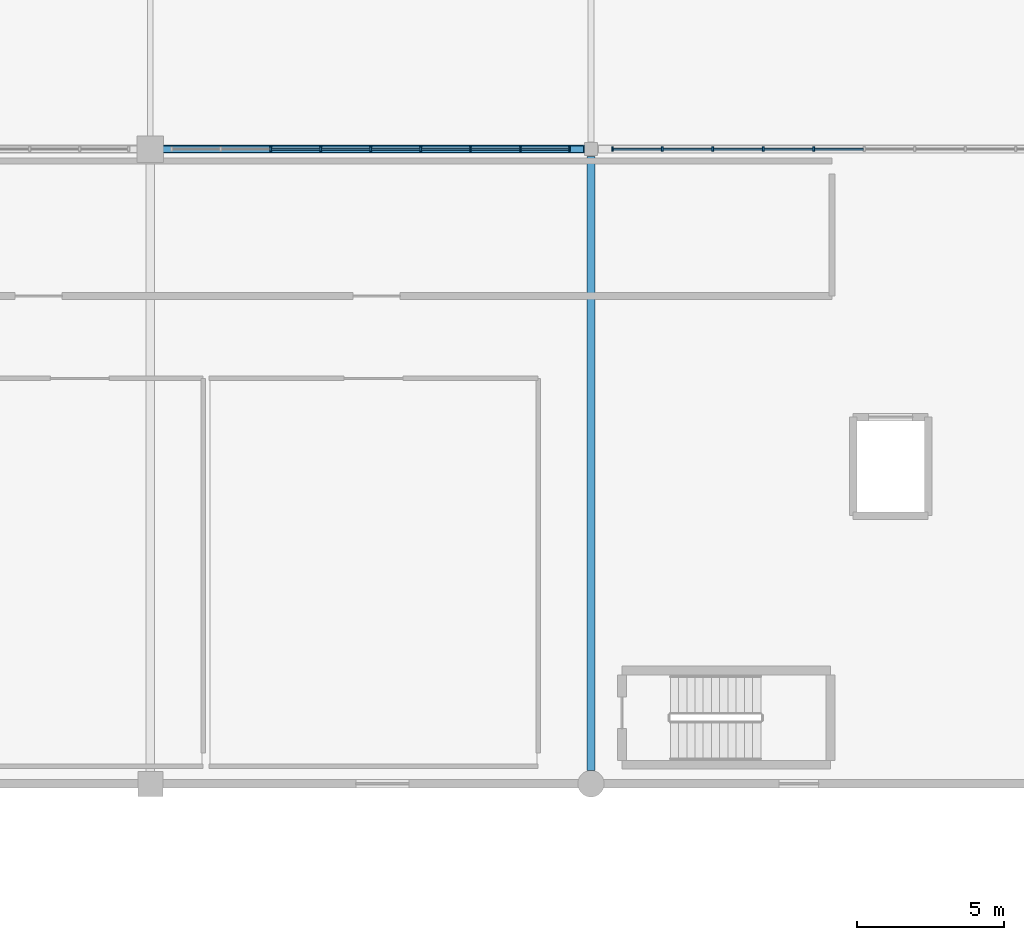
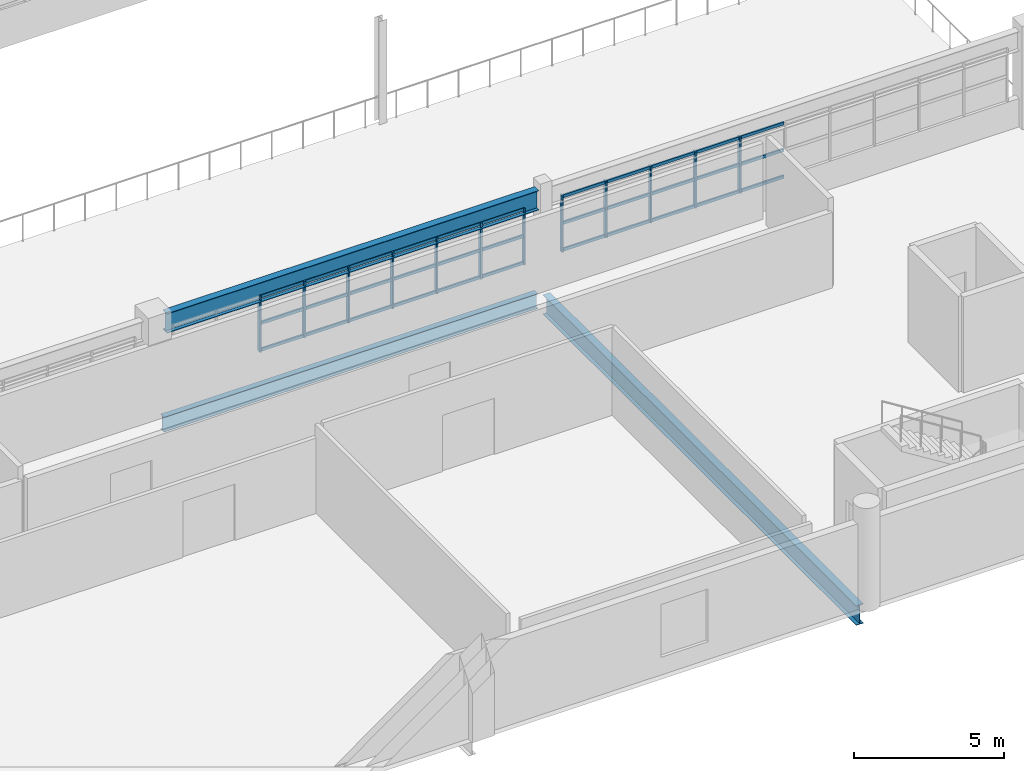
# One storey, part 18 of 92: 45 members, 3 beams, 2 elements without a shape of their own.
"""IFC4 building model written with IfcOpenShell, lengths in metres."""

from ifc_helpers import new_model, si_unit, direction, frame, origin, origin_2d, place, context, subcontext, project, spatial, rectangle, i_section, extrude, material, material_profile, profile_set, type_object, element, aggregate, save


model = new_model("IFC4")

# Units and contexts
model_context = context("Model", 3, precision=1e-05, world=origin(), true_north=direction((0.0, 1.0)))
body_context = subcontext(model_context, "Body", "Model", "MODEL_VIEW")
ifc_project = project(units=[si_unit("LENGTHUNIT", "METRE"), si_unit("AREAUNIT", "SQUARE_METRE"), si_unit("VOLUMEUNIT", "CUBIC_METRE"), si_unit("PLANEANGLEUNIT", "RADIAN"), si_unit("MASSUNIT", "GRAM", prefix="KILO")], contexts=[model_context])

# Site, building, storey
site_placement = place(None, origin())
site = spatial("IfcSite", under=ifc_project, at=site_placement, CompositionType="ELEMENT")
building_placement = place(site_placement, origin())
building = spatial("IfcBuilding", under=site, at=building_placement, Name="Solanera Park Tramway Depot", CompositionType="ELEMENT")
storey_placement = place(building_placement, frame((0.0, 0.0, 4.800048828125)))
storey = spatial("IfcBuildingStorey", under=building, at=storey_placement, Name="L01", CompositionType="ELEMENT", Elevation=4.800048828125)

# Curtain wall, members
ifc_material_1 = material(Name="Bronze-anodised thermally broken aluminium curtain wall", Category="aluminium")
curtain_wall_type = type_object("IfcCurtainWallType", Name="Workshop Daylight Ribbon Curtain Wall", PredefinedType="NOTDEFINED", material=ifc_material_1)
curtain_wall_1_placement = place(storey_placement, origin())
curtain_wall_1 = element("IfcCurtainWall", 1, at=curtain_wall_1_placement, inside=storey, type_object=curtain_wall_type, Name="L01 Workshop Daylight Ribbon Curtain Wall #149", PredefinedType="NOTDEFINED")
ifc_material_2 = material(Name="Bronze-anodised structural aluminium 6063-T6", Category="aluminium")
ifc_material_profile_1 = material_profile(ifc_material_2, rectangle(XDim=0.06494140625, YDim=0.14990234375, at=origin_2d()), Name="Curtain Wall Mullion 65x150")
ifc_profile_set_1 = profile_set([ifc_material_profile_1], Name="Bronze-anodised structural aluminium 6063-T6")
member_type_1 = type_object("IfcMemberType", Name="Curtain Wall Mullion 65x150", PredefinedType="MULLION", material=ifc_profile_set_1)
member_1_placement = place(storey_placement, frame((64.10009765625, 32.39990234375, 1.0), z_axis=(0.0, 0.0, 1.0), x_axis=(1.0, 0.0, 0.0)))
member_1 = element("IfcMember", 2, at=member_1_placement, type_object=member_type_1, Name="CW-L01-149 Mullion 3", PredefinedType="MULLION", context=body_context, shape_type="SweptSolid", body=[
    extrude(rectangle(XDim=0.06494140625, YDim=0.14990234375, at=origin_2d()), origin(), (0.0, 0.0, 1.0), 2.300048828125),
])
member_2_placement = place(storey_placement, frame((65.800048828125, 32.39990234375, 1.0), z_axis=(0.0, 0.0, 1.0), x_axis=(1.0, 0.0, 0.0)))
member_2 = element("IfcMember", 3, at=member_2_placement, type_object=member_type_1, Name="CW-L01-149 Mullion 4", PredefinedType="MULLION", context=body_context, shape_type="SweptSolid", body=[
    extrude(rectangle(XDim=0.06494140625, YDim=0.14990234375, at=origin_2d()), origin(), (0.0, 0.0, 1.0), 2.300048828125),
])
member_3_placement = place(storey_placement, frame((67.5, 32.39990234375, 1.0), z_axis=(0.0, 0.0, 1.0), x_axis=(1.0, 0.0, 0.0)))
member_3 = element("IfcMember", 4, at=member_3_placement, type_object=member_type_1, Name="CW-L01-149 Mullion 5", PredefinedType="MULLION", context=body_context, shape_type="SweptSolid", body=[
    extrude(rectangle(XDim=0.06494140625, YDim=0.14990234375, at=origin_2d()), origin(), (0.0, 0.0, 1.0), 2.300048828125),
])
member_4_placement = place(storey_placement, frame((69.199951171875, 32.39990234375, 1.0), z_axis=(0.0, 0.0, 1.0), x_axis=(1.0, 0.0, 0.0)))
member_4 = element("IfcMember", 5, at=member_4_placement, type_object=member_type_1, Name="CW-L01-149 Mullion 6", PredefinedType="MULLION", context=body_context, shape_type="SweptSolid", body=[
    extrude(rectangle(XDim=0.06494140625, YDim=0.14990234375, at=origin_2d()), origin(), (0.0, 0.0, 1.0), 2.300048828125),
])
member_5_placement = place(storey_placement, frame((70.89990234375, 32.39990234375, 1.0), z_axis=(0.0, 0.0, 1.0), x_axis=(1.0, 0.0, 0.0)))
member_5 = element("IfcMember", 6, at=member_5_placement, type_object=member_type_1, Name="CW-L01-149 Mullion 7", PredefinedType="MULLION", context=body_context, shape_type="SweptSolid", body=[
    extrude(rectangle(XDim=0.06494140625, YDim=0.14990234375, at=origin_2d()), origin(), (0.0, 0.0, 1.0), 2.300048828125),
])
member_6_placement = place(storey_placement, frame((72.60009765625, 32.39990234375, 1.0), z_axis=(0.0, 0.0, 1.0), x_axis=(1.0, 0.0, 0.0)))
member_6 = element("IfcMember", 7, at=member_6_placement, type_object=member_type_1, Name="CW-L01-149 Mullion 8", PredefinedType="MULLION", context=body_context, shape_type="SweptSolid", body=[
    extrude(rectangle(XDim=0.06494140625, YDim=0.14990234375, at=origin_2d()), origin(), (0.0, 0.0, 1.0), 2.300048828125),
])
member_7_placement = place(storey_placement, frame((74.267578125, 32.39990234375, 1.0), z_axis=(0.0, 0.0, 1.0), x_axis=(1.0, 0.0, 0.0)))
member_7 = element("IfcMember", 8, at=member_7_placement, type_object=member_type_1, Name="CW-L01-149 Mullion 9", PredefinedType="MULLION", context=body_context, shape_type="SweptSolid", body=[
    extrude(rectangle(XDim=0.06494140625, YDim=0.14990234375, at=origin_2d()), origin(), (0.0, 0.0, 1.0), 2.300048828125),
])

curtain_wall_2_placement = place(storey_placement, origin())
curtain_wall_2 = element("IfcCurtainWall", 9, at=curtain_wall_2_placement, inside=storey, type_object=curtain_wall_type, Name="L01 Workshop Daylight Ribbon Curtain Wall #151", PredefinedType="NOTDEFINED")
member_8_placement = place(storey_placement, frame((75.732421875, 32.39990234375, 1.0), z_axis=(0.0, 0.0, 1.0), x_axis=(1.0, 0.0, 0.0)))
member_8 = element("IfcMember", 10, at=member_8_placement, type_object=member_type_1, Name="CW-L01-151 Mullion 1", PredefinedType="MULLION", context=body_context, shape_type="SweptSolid", body=[
    extrude(rectangle(XDim=0.06494140625, YDim=0.14990234375, at=origin_2d()), origin(), (0.0, 0.0, 1.0), 2.300048828125),
])
member_9_placement = place(storey_placement, frame((77.419921875, 32.39990234375, 1.0), z_axis=(0.0, 0.0, 1.0), x_axis=(1.0, 0.0, 0.0)))
member_9 = element("IfcMember", 11, at=member_9_placement, type_object=member_type_1, Name="CW-L01-151 Mullion 2", PredefinedType="MULLION", context=body_context, shape_type="SweptSolid", body=[
    extrude(rectangle(XDim=0.06494140625, YDim=0.14990234375, at=origin_2d()), origin(), (0.0, 0.0, 1.0), 2.300048828125),
])
member_10_placement = place(storey_placement, frame((79.139892578125, 32.39990234375, 1.0), z_axis=(0.0, 0.0, 1.0), x_axis=(1.0, 0.0, 0.0)))
member_10 = element("IfcMember", 12, at=member_10_placement, type_object=member_type_1, Name="CW-L01-151 Mullion 3", PredefinedType="MULLION", context=body_context, shape_type="SweptSolid", body=[
    extrude(rectangle(XDim=0.06494140625, YDim=0.14990234375, at=origin_2d()), origin(), (0.0, 0.0, 1.0), 2.300048828125),
])
member_11_placement = place(storey_placement, frame((80.860107421875, 32.39990234375, 1.0), z_axis=(0.0, 0.0, 1.0), x_axis=(1.0, 0.0, 0.0)))
member_11 = element("IfcMember", 13, at=member_11_placement, type_object=member_type_1, Name="CW-L01-151 Mullion 4", PredefinedType="MULLION", context=body_context, shape_type="SweptSolid", body=[
    extrude(rectangle(XDim=0.06494140625, YDim=0.14990234375, at=origin_2d()), origin(), (0.0, 0.0, 1.0), 2.300048828125),
])
member_12_placement = place(storey_placement, frame((82.580078125, 32.39990234375, 1.0), z_axis=(0.0, 0.0, 1.0), x_axis=(1.0, 0.0, 0.0)))
member_12 = element("IfcMember", 14, at=member_12_placement, type_object=member_type_1, Name="CW-L01-151 Mullion 5", PredefinedType="MULLION", context=body_context, shape_type="SweptSolid", body=[
    extrude(rectangle(XDim=0.06494140625, YDim=0.14990234375, at=origin_2d()), origin(), (0.0, 0.0, 1.0), 2.300048828125),
])

# Member
ifc_material_3 = material(Name="Bronze-anodised structural aluminium 6063-T6", Category="aluminium")
ifc_material_profile_2 = material_profile(ifc_material_3, rectangle(XDim=0.06494140625, YDim=0.1201171875, at=origin_2d()), Name="Curtain Wall Transom 65x120")
ifc_profile_set_2 = profile_set([ifc_material_profile_2], Name="Bronze-anodised structural aluminium 6063-T6")
member_type_2 = type_object("IfcMemberType", Name="Curtain Wall Transom 65x120", PredefinedType="USERDEFINED", material=ifc_profile_set_2)
member_13_placement = place(storey_placement, frame((64.1279296875, 32.39990234375, 1.06005859375), z_axis=(1.0, 0.0, 0.0), x_axis=(0.0, 1.0, 0.0)))
member_13 = element("IfcMember", 15, at=member_13_placement, type_object=member_type_2, Name="CW-L01-149 Transom R1.C3", ObjectType="TRANSOM", PredefinedType="USERDEFINED", context=body_context, shape_type="SweptSolid", body=[
    extrude(rectangle(XDim=0.06494140625, YDim=0.1201171875, at=origin_2d()), origin(), (0.0, 0.0, 1.0), 1.64404296875),
])

member_14_placement = place(storey_placement, frame((65.827880859375, 32.39990234375, 1.06005859375), z_axis=(1.0, 0.0, 0.0), x_axis=(0.0, 1.0, 0.0)))
member_14 = element("IfcMember", 16, at=member_14_placement, type_object=member_type_2, Name="CW-L01-149 Transom R1.C4", ObjectType="TRANSOM", PredefinedType="USERDEFINED", context=body_context, shape_type="SweptSolid", body=[
    extrude(rectangle(XDim=0.06494140625, YDim=0.1201171875, at=origin_2d()), origin(), (0.0, 0.0, 1.0), 1.64404296875),
])

member_15_placement = place(storey_placement, frame((67.528076171875, 32.39990234375, 1.06005859375), z_axis=(1.0, 0.0, 0.0), x_axis=(0.0, 1.0, 0.0)))
member_15 = element("IfcMember", 17, at=member_15_placement, type_object=member_type_2, Name="CW-L01-149 Transom R1.C5", ObjectType="TRANSOM", PredefinedType="USERDEFINED", context=body_context, shape_type="SweptSolid", body=[
    extrude(rectangle(XDim=0.06494140625, YDim=0.1201171875, at=origin_2d()), origin(), (0.0, 0.0, 1.0), 1.64404296875),
])

member_16_placement = place(storey_placement, frame((69.22802734375, 32.39990234375, 1.06005859375), z_axis=(1.0, 0.0, 0.0), x_axis=(0.0, 1.0, 0.0)))
member_16 = element("IfcMember", 18, at=member_16_placement, type_object=member_type_2, Name="CW-L01-149 Transom R1.C6", ObjectType="TRANSOM", PredefinedType="USERDEFINED", context=body_context, shape_type="SweptSolid", body=[
    extrude(rectangle(XDim=0.06494140625, YDim=0.1201171875, at=origin_2d()), origin(), (0.0, 0.0, 1.0), 1.64404296875),
])

member_17_placement = place(storey_placement, frame((70.927978515625, 32.39990234375, 1.06005859375), z_axis=(1.0, 0.0, 0.0), x_axis=(0.0, 1.0, 0.0)))
member_17 = element("IfcMember", 19, at=member_17_placement, type_object=member_type_2, Name="CW-L01-149 Transom R1.C7", ObjectType="TRANSOM", PredefinedType="USERDEFINED", context=body_context, shape_type="SweptSolid", body=[
    extrude(rectangle(XDim=0.06494140625, YDim=0.1201171875, at=origin_2d()), origin(), (0.0, 0.0, 1.0), 1.64404296875),
])

member_18_placement = place(storey_placement, frame((72.6279296875, 32.39990234375, 1.06005859375), z_axis=(1.0, 0.0, 0.0), x_axis=(0.0, 1.0, 0.0)))
member_18 = element("IfcMember", 20, at=member_18_placement, type_object=member_type_2, Name="CW-L01-149 Transom R1.C8", ObjectType="TRANSOM", PredefinedType="USERDEFINED", context=body_context, shape_type="SweptSolid", body=[
    extrude(rectangle(XDim=0.06494140625, YDim=0.1201171875, at=origin_2d()), origin(), (0.0, 0.0, 1.0), 1.611572265625),
])

member_19_placement = place(storey_placement, frame((64.1279296875, 32.39990234375, 2.14990234375), z_axis=(1.0, 0.0, 0.0), x_axis=(0.0, 1.0, 0.0)))
member_19 = element("IfcMember", 21, at=member_19_placement, type_object=member_type_2, Name="CW-L01-149 Transom R2.C3", ObjectType="TRANSOM", PredefinedType="USERDEFINED", context=body_context, shape_type="SweptSolid", body=[
    extrude(rectangle(XDim=0.06494140625, YDim=0.1201171875, at=origin_2d()), origin(), (0.0, 0.0, 1.0), 1.64404296875),
])

member_20_placement = place(storey_placement, frame((65.827880859375, 32.39990234375, 2.14990234375), z_axis=(1.0, 0.0, 0.0), x_axis=(0.0, 1.0, 0.0)))
member_20 = element("IfcMember", 22, at=member_20_placement, type_object=member_type_2, Name="CW-L01-149 Transom R2.C4", ObjectType="TRANSOM", PredefinedType="USERDEFINED", context=body_context, shape_type="SweptSolid", body=[
    extrude(rectangle(XDim=0.06494140625, YDim=0.1201171875, at=origin_2d()), origin(), (0.0, 0.0, 1.0), 1.64404296875),
])

member_21_placement = place(storey_placement, frame((67.528076171875, 32.39990234375, 2.14990234375), z_axis=(1.0, 0.0, 0.0), x_axis=(0.0, 1.0, 0.0)))
member_21 = element("IfcMember", 23, at=member_21_placement, type_object=member_type_2, Name="CW-L01-149 Transom R2.C5", ObjectType="TRANSOM", PredefinedType="USERDEFINED", context=body_context, shape_type="SweptSolid", body=[
    extrude(rectangle(XDim=0.06494140625, YDim=0.1201171875, at=origin_2d()), origin(), (0.0, 0.0, 1.0), 1.64404296875),
])

member_22_placement = place(storey_placement, frame((69.22802734375, 32.39990234375, 2.14990234375), z_axis=(1.0, 0.0, 0.0), x_axis=(0.0, 1.0, 0.0)))
member_22 = element("IfcMember", 24, at=member_22_placement, type_object=member_type_2, Name="CW-L01-149 Transom R2.C6", ObjectType="TRANSOM", PredefinedType="USERDEFINED", context=body_context, shape_type="SweptSolid", body=[
    extrude(rectangle(XDim=0.06494140625, YDim=0.1201171875, at=origin_2d()), origin(), (0.0, 0.0, 1.0), 1.64404296875),
])

member_23_placement = place(storey_placement, frame((70.927978515625, 32.39990234375, 2.14990234375), z_axis=(1.0, 0.0, 0.0), x_axis=(0.0, 1.0, 0.0)))
member_23 = element("IfcMember", 25, at=member_23_placement, type_object=member_type_2, Name="CW-L01-149 Transom R2.C7", ObjectType="TRANSOM", PredefinedType="USERDEFINED", context=body_context, shape_type="SweptSolid", body=[
    extrude(rectangle(XDim=0.06494140625, YDim=0.1201171875, at=origin_2d()), origin(), (0.0, 0.0, 1.0), 1.64404296875),
])

member_24_placement = place(storey_placement, frame((72.6279296875, 32.39990234375, 2.14990234375), z_axis=(1.0, 0.0, 0.0), x_axis=(0.0, 1.0, 0.0)))
member_24 = element("IfcMember", 26, at=member_24_placement, type_object=member_type_2, Name="CW-L01-149 Transom R2.C8", ObjectType="TRANSOM", PredefinedType="USERDEFINED", context=body_context, shape_type="SweptSolid", body=[
    extrude(rectangle(XDim=0.06494140625, YDim=0.1201171875, at=origin_2d()), origin(), (0.0, 0.0, 1.0), 1.611572265625),
])

member_25_placement = place(storey_placement, frame((64.1279296875, 32.39990234375, 3.239990234375), z_axis=(1.0, 0.0, 0.0), x_axis=(0.0, 1.0, 0.0)))
member_25 = element("IfcMember", 27, at=member_25_placement, type_object=member_type_2, Name="CW-L01-149 Transom R3.C3", ObjectType="TRANSOM", PredefinedType="USERDEFINED", context=body_context, shape_type="SweptSolid", body=[
    extrude(rectangle(XDim=0.06494140625, YDim=0.1201171875, at=origin_2d()), origin(), (0.0, 0.0, 1.0), 1.64404296875),
])

member_26_placement = place(storey_placement, frame((65.827880859375, 32.39990234375, 3.239990234375), z_axis=(1.0, 0.0, 0.0), x_axis=(0.0, 1.0, 0.0)))
member_26 = element("IfcMember", 28, at=member_26_placement, type_object=member_type_2, Name="CW-L01-149 Transom R3.C4", ObjectType="TRANSOM", PredefinedType="USERDEFINED", context=body_context, shape_type="SweptSolid", body=[
    extrude(rectangle(XDim=0.06494140625, YDim=0.1201171875, at=origin_2d()), origin(), (0.0, 0.0, 1.0), 1.64404296875),
])

member_27_placement = place(storey_placement, frame((67.528076171875, 32.39990234375, 3.239990234375), z_axis=(1.0, 0.0, 0.0), x_axis=(0.0, 1.0, 0.0)))
member_27 = element("IfcMember", 29, at=member_27_placement, type_object=member_type_2, Name="CW-L01-149 Transom R3.C5", ObjectType="TRANSOM", PredefinedType="USERDEFINED", context=body_context, shape_type="SweptSolid", body=[
    extrude(rectangle(XDim=0.06494140625, YDim=0.1201171875, at=origin_2d()), origin(), (0.0, 0.0, 1.0), 1.64404296875),
])

member_28_placement = place(storey_placement, frame((69.22802734375, 32.39990234375, 3.239990234375), z_axis=(1.0, 0.0, 0.0), x_axis=(0.0, 1.0, 0.0)))
member_28 = element("IfcMember", 30, at=member_28_placement, type_object=member_type_2, Name="CW-L01-149 Transom R3.C6", ObjectType="TRANSOM", PredefinedType="USERDEFINED", context=body_context, shape_type="SweptSolid", body=[
    extrude(rectangle(XDim=0.06494140625, YDim=0.1201171875, at=origin_2d()), origin(), (0.0, 0.0, 1.0), 1.64404296875),
])

member_29_placement = place(storey_placement, frame((70.927978515625, 32.39990234375, 3.239990234375), z_axis=(1.0, 0.0, 0.0), x_axis=(0.0, 1.0, 0.0)))
member_29 = element("IfcMember", 31, at=member_29_placement, type_object=member_type_2, Name="CW-L01-149 Transom R3.C7", ObjectType="TRANSOM", PredefinedType="USERDEFINED", context=body_context, shape_type="SweptSolid", body=[
    extrude(rectangle(XDim=0.06494140625, YDim=0.1201171875, at=origin_2d()), origin(), (0.0, 0.0, 1.0), 1.64404296875),
])

member_30_placement = place(storey_placement, frame((72.6279296875, 32.39990234375, 3.239990234375), z_axis=(1.0, 0.0, 0.0), x_axis=(0.0, 1.0, 0.0)))
member_30 = element("IfcMember", 32, at=member_30_placement, type_object=member_type_2, Name="CW-L01-149 Transom R3.C8", ObjectType="TRANSOM", PredefinedType="USERDEFINED", context=body_context, shape_type="SweptSolid", body=[
    extrude(rectangle(XDim=0.06494140625, YDim=0.1201171875, at=origin_2d()), origin(), (0.0, 0.0, 1.0), 1.611572265625),
])

aggregate(curtain_wall_1, [member_1, member_2, member_3, member_4, member_5, member_6, member_7, member_13, member_14, member_15, member_16, member_17, member_18, member_19, member_20, member_21, member_22, member_23, member_24, member_25, member_26, member_27, member_28, member_29, member_30])

member_31_placement = place(storey_placement, frame((75.760498046875, 32.39990234375, 1.06005859375), z_axis=(1.0, 0.0, 0.0), x_axis=(0.0, 1.0, 0.0)))
member_31 = element("IfcMember", 33, at=member_31_placement, type_object=member_type_2, Name="CW-L01-151 Transom R1.C1", ObjectType="TRANSOM", PredefinedType="USERDEFINED", context=body_context, shape_type="SweptSolid", body=[
    extrude(rectangle(XDim=0.06494140625, YDim=0.1201171875, at=origin_2d()), origin(), (0.0, 0.0, 1.0), 1.631591796875),
])

member_32_placement = place(storey_placement, frame((77.447998046875, 32.39990234375, 1.06005859375), z_axis=(1.0, 0.0, 0.0), x_axis=(0.0, 1.0, 0.0)))
member_32 = element("IfcMember", 34, at=member_32_placement, type_object=member_type_2, Name="CW-L01-151 Transom R1.C2", ObjectType="TRANSOM", PredefinedType="USERDEFINED", context=body_context, shape_type="SweptSolid", body=[
    extrude(rectangle(XDim=0.06494140625, YDim=0.1201171875, at=origin_2d()), origin(), (0.0, 0.0, 1.0), 1.6640625),
])

member_33_placement = place(storey_placement, frame((79.16796875, 32.39990234375, 1.06005859375), z_axis=(1.0, 0.0, 0.0), x_axis=(0.0, 1.0, 0.0)))
member_33 = element("IfcMember", 35, at=member_33_placement, type_object=member_type_2, Name="CW-L01-151 Transom R1.C3", ObjectType="TRANSOM", PredefinedType="USERDEFINED", context=body_context, shape_type="SweptSolid", body=[
    extrude(rectangle(XDim=0.06494140625, YDim=0.1201171875, at=origin_2d()), origin(), (0.0, 0.0, 1.0), 1.6640625),
])

member_34_placement = place(storey_placement, frame((80.887939453125, 32.39990234375, 1.06005859375), z_axis=(1.0, 0.0, 0.0), x_axis=(0.0, 1.0, 0.0)))
member_34 = element("IfcMember", 36, at=member_34_placement, type_object=member_type_2, Name="CW-L01-151 Transom R1.C4", ObjectType="TRANSOM", PredefinedType="USERDEFINED", context=body_context, shape_type="SweptSolid", body=[
    extrude(rectangle(XDim=0.06494140625, YDim=0.1201171875, at=origin_2d()), origin(), (0.0, 0.0, 1.0), 1.6640625),
])

member_35_placement = place(storey_placement, frame((82.60791015625, 32.39990234375, 1.06005859375), z_axis=(1.0, 0.0, 0.0), x_axis=(0.0, 1.0, 0.0)))
member_35 = element("IfcMember", 37, at=member_35_placement, type_object=member_type_2, Name="CW-L01-151 Transom R1.C5", ObjectType="TRANSOM", PredefinedType="USERDEFINED", context=body_context, shape_type="SweptSolid", body=[
    extrude(rectangle(XDim=0.06494140625, YDim=0.1201171875, at=origin_2d()), origin(), (0.0, 0.0, 1.0), 1.6640625),
])

member_36_placement = place(storey_placement, frame((75.760498046875, 32.39990234375, 2.14990234375), z_axis=(1.0, 0.0, 0.0), x_axis=(0.0, 1.0, 0.0)))
member_36 = element("IfcMember", 38, at=member_36_placement, type_object=member_type_2, Name="CW-L01-151 Transom R2.C1", ObjectType="TRANSOM", PredefinedType="USERDEFINED", context=body_context, shape_type="SweptSolid", body=[
    extrude(rectangle(XDim=0.06494140625, YDim=0.1201171875, at=origin_2d()), origin(), (0.0, 0.0, 1.0), 1.631591796875),
])

member_37_placement = place(storey_placement, frame((77.447998046875, 32.39990234375, 2.14990234375), z_axis=(1.0, 0.0, 0.0), x_axis=(0.0, 1.0, 0.0)))
member_37 = element("IfcMember", 39, at=member_37_placement, type_object=member_type_2, Name="CW-L01-151 Transom R2.C2", ObjectType="TRANSOM", PredefinedType="USERDEFINED", context=body_context, shape_type="SweptSolid", body=[
    extrude(rectangle(XDim=0.06494140625, YDim=0.1201171875, at=origin_2d()), origin(), (0.0, 0.0, 1.0), 1.6640625),
])

member_38_placement = place(storey_placement, frame((79.16796875, 32.39990234375, 2.14990234375), z_axis=(1.0, 0.0, 0.0), x_axis=(0.0, 1.0, 0.0)))
member_38 = element("IfcMember", 40, at=member_38_placement, type_object=member_type_2, Name="CW-L01-151 Transom R2.C3", ObjectType="TRANSOM", PredefinedType="USERDEFINED", context=body_context, shape_type="SweptSolid", body=[
    extrude(rectangle(XDim=0.06494140625, YDim=0.1201171875, at=origin_2d()), origin(), (0.0, 0.0, 1.0), 1.6640625),
])

member_39_placement = place(storey_placement, frame((80.887939453125, 32.39990234375, 2.14990234375), z_axis=(1.0, 0.0, 0.0), x_axis=(0.0, 1.0, 0.0)))
member_39 = element("IfcMember", 41, at=member_39_placement, type_object=member_type_2, Name="CW-L01-151 Transom R2.C4", ObjectType="TRANSOM", PredefinedType="USERDEFINED", context=body_context, shape_type="SweptSolid", body=[
    extrude(rectangle(XDim=0.06494140625, YDim=0.1201171875, at=origin_2d()), origin(), (0.0, 0.0, 1.0), 1.6640625),
])

member_40_placement = place(storey_placement, frame((82.60791015625, 32.39990234375, 2.14990234375), z_axis=(1.0, 0.0, 0.0), x_axis=(0.0, 1.0, 0.0)))
member_40 = element("IfcMember", 42, at=member_40_placement, type_object=member_type_2, Name="CW-L01-151 Transom R2.C5", ObjectType="TRANSOM", PredefinedType="USERDEFINED", context=body_context, shape_type="SweptSolid", body=[
    extrude(rectangle(XDim=0.06494140625, YDim=0.1201171875, at=origin_2d()), origin(), (0.0, 0.0, 1.0), 1.6640625),
])

member_41_placement = place(storey_placement, frame((75.760498046875, 32.39990234375, 3.239990234375), z_axis=(1.0, 0.0, 0.0), x_axis=(0.0, 1.0, 0.0)))
member_41 = element("IfcMember", 43, at=member_41_placement, type_object=member_type_2, Name="CW-L01-151 Transom R3.C1", ObjectType="TRANSOM", PredefinedType="USERDEFINED", context=body_context, shape_type="SweptSolid", body=[
    extrude(rectangle(XDim=0.06494140625, YDim=0.1201171875, at=origin_2d()), origin(), (0.0, 0.0, 1.0), 1.631591796875),
])

member_42_placement = place(storey_placement, frame((77.447998046875, 32.39990234375, 3.239990234375), z_axis=(1.0, 0.0, 0.0), x_axis=(0.0, 1.0, 0.0)))
member_42 = element("IfcMember", 44, at=member_42_placement, type_object=member_type_2, Name="CW-L01-151 Transom R3.C2", ObjectType="TRANSOM", PredefinedType="USERDEFINED", context=body_context, shape_type="SweptSolid", body=[
    extrude(rectangle(XDim=0.06494140625, YDim=0.1201171875, at=origin_2d()), origin(), (0.0, 0.0, 1.0), 1.6640625),
])

member_43_placement = place(storey_placement, frame((79.16796875, 32.39990234375, 3.239990234375), z_axis=(1.0, 0.0, 0.0), x_axis=(0.0, 1.0, 0.0)))
member_43 = element("IfcMember", 45, at=member_43_placement, type_object=member_type_2, Name="CW-L01-151 Transom R3.C3", ObjectType="TRANSOM", PredefinedType="USERDEFINED", context=body_context, shape_type="SweptSolid", body=[
    extrude(rectangle(XDim=0.06494140625, YDim=0.1201171875, at=origin_2d()), origin(), (0.0, 0.0, 1.0), 1.6640625),
])

member_44_placement = place(storey_placement, frame((80.887939453125, 32.39990234375, 3.239990234375), z_axis=(1.0, 0.0, 0.0), x_axis=(0.0, 1.0, 0.0)))
member_44 = element("IfcMember", 46, at=member_44_placement, type_object=member_type_2, Name="CW-L01-151 Transom R3.C4", ObjectType="TRANSOM", PredefinedType="USERDEFINED", context=body_context, shape_type="SweptSolid", body=[
    extrude(rectangle(XDim=0.06494140625, YDim=0.1201171875, at=origin_2d()), origin(), (0.0, 0.0, 1.0), 1.6640625),
])

member_45_placement = place(storey_placement, frame((82.60791015625, 32.39990234375, 3.239990234375), z_axis=(1.0, 0.0, 0.0), x_axis=(0.0, 1.0, 0.0)))
member_45 = element("IfcMember", 47, at=member_45_placement, type_object=member_type_2, Name="CW-L01-151 Transom R3.C5", ObjectType="TRANSOM", PredefinedType="USERDEFINED", context=body_context, shape_type="SweptSolid", body=[
    extrude(rectangle(XDim=0.06494140625, YDim=0.1201171875, at=origin_2d()), origin(), (0.0, 0.0, 1.0), 1.6640625),
])

aggregate(curtain_wall_2, [member_8, member_9, member_10, member_11, member_12, member_31, member_32, member_33, member_34, member_35, member_36, member_37, member_38, member_39, member_40, member_41, member_42, member_43, member_44, member_45])

# Beams
ifc_material_4 = material(Name="Steel AS/NZS 3679.1 Grade 350", Category="steel")
ifc_material_profile_3 = material_profile(ifc_material_4, i_section(OverallWidth=0.22900390625, OverallDepth=0.611572265625, WebThickness=0.011962890625, FlangeThickness=0.01953125, at=origin_2d()), Name="610UB125")
ifc_profile_set_3 = profile_set([ifc_material_profile_3], Name="Steel AS/NZS 3679.1 Grade 350")
beam_type_1 = type_object("IfcBeamType", Name="Steel Beam 610UB125", PredefinedType="BEAM", material=ifc_profile_set_3)
beam_1_placement = place(storey_placement, frame((60.35009765625, 32.39990234375, -0.60986328125), z_axis=(1.0, 0.0, 0.0), x_axis=(0.0, 1.0, 0.0)))
element("IfcBeam", 48, at=beam_1_placement, inside=storey, type_object=beam_type_1, Name="L01 Primary X-Girder 610UB125 #0018", PredefinedType="BEAM", context=body_context, shape_type="SweptSolid", body=[
    extrude(i_section(OverallWidth=0.22900390625, OverallDepth=0.611572265625, WebThickness=0.011962890625, FlangeThickness=0.01953125, at=origin_2d()), origin(), (0.0, 0.0, 1.0), 14.39990234375),
])
ifc_material_5 = material(Name="Steel AS/NZS 3679.1 Grade 350", Category="steel")
ifc_material_profile_4 = material_profile(ifc_material_5, i_section(OverallWidth=0.27490234375, OverallDepth=0.800048828125, WebThickness=0.010009765625, FlangeThickness=0.02001953125, at=origin_2d()), Name="800WB146")
ifc_profile_set_4 = profile_set([ifc_material_profile_4], Name="Steel AS/NZS 3679.1 Grade 350")
beam_type_2 = type_object("IfcBeamType", Name="Steel Beam 800WB146", PredefinedType="BEAM", material=ifc_profile_set_4)
beam_2_placement = place(storey_placement, frame((75.0, 11.25, -0.7041015625), z_axis=(0.0, 1.0, 0.0), x_axis=(-1.0, 0.0, 0.0)))
element("IfcBeam", 49, at=beam_2_placement, inside=storey, type_object=beam_type_2, Name="L01 Primary Y-Girder 800WB146 #0048", PredefinedType="BEAM", context=body_context, shape_type="SweptSolid", body=[
    extrude(i_section(OverallWidth=0.27490234375, OverallDepth=0.800048828125, WebThickness=0.010009765625, FlangeThickness=0.02001953125, at=origin_2d()), origin(), (0.0, 0.0, 1.0), 20.89990234375),
])
beam_3_placement = place(storey_placement, frame((60.449951171875, 32.39990234375, 3.494873046875), z_axis=(1.0, 0.0, 0.0), x_axis=(0.0, 1.0, 0.0)))
element("IfcBeam", 50, at=beam_3_placement, inside=storey, type_object=beam_type_2, Name="Bridge Crane Runway Girder 800WB146 #0409", PredefinedType="BEAM", context=body_context, shape_type="SweptSolid", body=[
    extrude(i_section(OverallWidth=0.27490234375, OverallDepth=0.800048828125, WebThickness=0.010009765625, FlangeThickness=0.02001953125, at=origin_2d()), origin(), (0.0, 0.0, 1.0), 14.324951171875),
])

save(model, "model.ifc")
